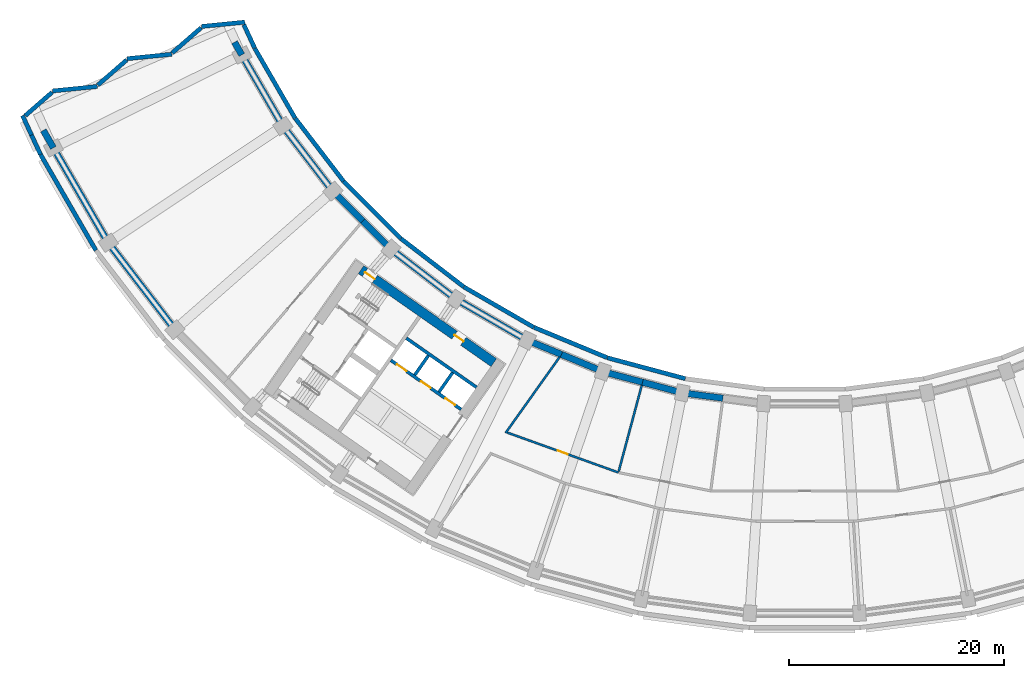
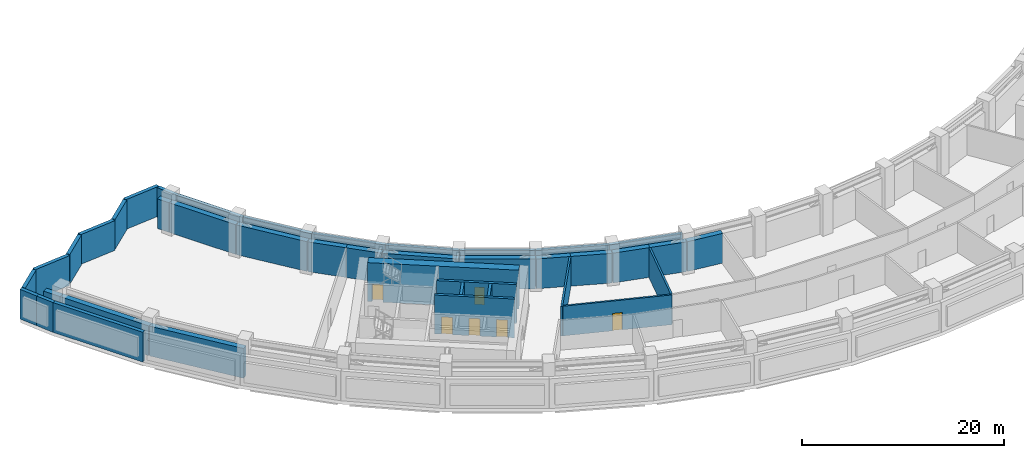
# One storey, part 7 of 25: 40 walls, 6 doors, 6 openings.
"""IFC4 building model written with IfcOpenShell, lengths in metres."""

from ifc_helpers import new_model, si_unit, direction, frame, frame_2d, origin, place, context, subcontext, project, spatial, rectangle, extrude, material, layer, layer_set, type_object, element, fill, save


model = new_model("IFC4")

# Units and contexts
model_context = context("Model", 3, precision=1e-05, world=origin(), true_north=direction((0.0, 1.0)))
body_context = subcontext(model_context, "Body", "Model", "MODEL_VIEW")
ifc_project = project(units=[si_unit("LENGTHUNIT", "METRE"), si_unit("AREAUNIT", "SQUARE_METRE"), si_unit("VOLUMEUNIT", "CUBIC_METRE"), si_unit("PLANEANGLEUNIT", "RADIAN"), si_unit("MASSUNIT", "GRAM", prefix="KILO")], contexts=[model_context])

# Site, building, storey
site_placement = place(None, origin())
site = spatial("IfcSite", under=ifc_project, at=site_placement, CompositionType="ELEMENT")
building_placement = place(site_placement, origin())
building = spatial("IfcBuilding", under=site, at=building_placement, Name="Qamariyya Broadcast Tower", CompositionType="ELEMENT")
storey_placement = place(building_placement, frame((0.0, 0.0, 144.300048828125)))
storey = spatial("IfcBuildingStorey", under=building, at=storey_placement, Name="L33", CompositionType="ELEMENT", Elevation=144.300048828125)

# Wall, openings, doors
ifc_material_1 = material(Name="Concrete C70/85", Category="concrete")
ifc_layer_1 = layer(ifc_material_1, 0.89990234375)
ifc_layer_set_1 = layer_set([ifc_layer_1], Name="Core wall 900 mm Concrete C70/85")
wall_type_1 = type_object("IfcWallType", Name="Core wall 900 mm Concrete C70/85", PredefinedType="SHEAR", material=ifc_layer_set_1)
wall_1_placement = place(storey_placement, frame((-28.8544921875, -54.32421875, 0.0), z_axis=(0.0, 0.0, 1.0), x_axis=(-0.819145767589, 0.573585400304, 0.0)))
wall_1 = element("IfcWall", 1, at=wall_1_placement, inside=storey, type_object=wall_type_1, Name="k-W-L33-WI", PredefinedType="SHEAR", context=body_context, shape_type="SweptSolid", body=[
    extrude(rectangle(XDim=15.04541015625, YDim=0.89990234375, at=frame_2d((7.522705078125, 0.0))), origin(), (0.0, 0.0, 1.0), 4.699951171875),
])
opening_1_placement = place(wall_1_placement, frame((3.449951171875, 0.0, 0.0)))
opening_1 = element("IfcOpeningElement", 2, at=opening_1_placement, cuts=wall_1, Name="Opening KD4-W1", PredefinedType="OPENING", context=body_context, shape_type="SweptSolid", body=[
    extrude(rectangle(XDim=1.0, YDim=2.10009765625, at=frame_2d((0.5, 1.050048828125))), frame((0.0, 0.4599609375, 0.0), z_axis=(0.0, -1.0, 0.0), x_axis=(1.0, 0.0, 0.0)), (0.0, 0.0, 1.0), 0.919921875),
])
opening_2_placement = place(wall_1_placement, frame((13.495361328125, 0.0, 0.0)))
opening_2 = element("IfcOpeningElement", 3, at=opening_2_placement, cuts=wall_1, Name="Opening KD1-W1", PredefinedType="OPENING", context=body_context, shape_type="SweptSolid", body=[
    extrude(rectangle(XDim=1.10009765625, YDim=2.10009765625, at=frame_2d((0.550048828125, 1.050048828125))), frame((0.0, 0.4599609375, 0.0), z_axis=(0.0, -1.0, 0.0), x_axis=(1.0, 0.0, 0.0)), (0.0, 0.0, 1.0), 0.919921875),
])
ifc_material_2 = material(Name="Steel fire-resisting door leaf", Category="steel")
door_type_1 = type_object("IfcDoorType", Name="Riser and plant door KD4", OperationType="SINGLE_SWING_LEFT", PredefinedType="DOOR", material=ifc_material_2)
door_1_placement = place(opening_1_placement, origin())
door_1 = element("IfcDoor", 4, at=door_1_placement, inside=storey, type_object=door_type_1, Name="k-W-L33-WI-D5", OperationType="SINGLE_SWING_RIGHT", OverallHeight=2.10009765625, OverallWidth=1.0, PredefinedType="DOOR", context=body_context, shape_type="SweptSolid", body=[
    extrude(rectangle(XDim=1.0, YDim=2.10009765625, at=frame_2d((0.5, 1.050048828125))), frame((0.0, 0.02490234375, 0.0), z_axis=(0.0, -1.0, 0.0), x_axis=(1.0, 0.0, 0.0)), (0.0, 0.0, 1.0), 0.050048828125),
])
fill(opening_1, door_1)
door_type_2 = type_object("IfcDoorType", Name="Stair door KD1", OperationType="SINGLE_SWING_LEFT", PredefinedType="DOOR", material=ifc_material_2)
door_2_placement = place(opening_2_placement, origin())
door_2 = element("IfcDoor", 5, at=door_2_placement, inside=storey, type_object=door_type_2, Name="k-W-L33-WI-D10", OperationType="SINGLE_SWING_RIGHT", OverallHeight=2.10009765625, OverallWidth=1.10009765625, PredefinedType="DOOR", context=body_context, shape_type="SweptSolid", body=[
    extrude(rectangle(XDim=1.10009765625, YDim=2.10009765625, at=frame_2d((0.550048828125, 1.050048828125))), frame((0.0, 0.02490234375, 0.0), z_axis=(0.0, -1.0, 0.0), x_axis=(1.0, 0.0, 0.0)), (0.0, 0.0, 1.0), 0.050048828125),
])
fill(opening_2, door_2)

ifc_material_3 = material(Name="Concrete C60/75", Category="concrete")
ifc_layer_2 = layer(ifc_material_3, 0.300048828125)
ifc_layer_set_2 = layer_set([ifc_layer_2], Name="Lift shaft wall 300 mm Concrete C60/75")
wall_type_2 = type_object("IfcWallType", Name="Lift shaft wall 300 mm Concrete C60/75", PredefinedType="SOLIDWALL", material=ifc_layer_set_2)
wall_2_placement = place(storey_placement, frame((-31.89453125, -58.66552734375, 0.0), z_axis=(0.0, 0.0, 1.0), x_axis=(-0.819166993208, 0.573555086491, 0.0)))
wall_2 = element("IfcWall", 6, at=wall_2_placement, inside=storey, type_object=wall_type_2, Name="k-W-L33-NF0", PredefinedType="SOLIDWALL", context=body_context, shape_type="SweptSolid", body=[
    extrude(rectangle(XDim=7.9501953125, YDim=0.300048828125, at=frame_2d((3.97509765625, 0.0))), origin(), (0.0, 0.0, 1.0), 4.699951171875),
])
opening_3_placement = place(wall_2_placement, frame((0.675048828125, 0.0, 0.0)))
opening_3 = element("IfcOpeningElement", 7, at=opening_3_placement, cuts=wall_2, Name="Opening LD", PredefinedType="OPENING", context=body_context, shape_type="SweptSolid", body=[
    extrude(rectangle(XDim=1.10009765625, YDim=2.10009765625, at=frame_2d((0.550048828125, 1.050048828125))), frame((0.0, 0.159912109375, 0.0), z_axis=(0.0, -1.0, 0.0), x_axis=(1.0, 0.0, 0.0)), (0.0, 0.0, 1.0), 0.320068359375),
])
opening_4_placement = place(wall_2_placement, frame((3.425048828125, 0.0, 0.0)))
opening_4 = element("IfcOpeningElement", 8, at=opening_4_placement, cuts=wall_2, Name="Opening LD", PredefinedType="OPENING", context=body_context, shape_type="SweptSolid", body=[
    extrude(rectangle(XDim=1.10009765625, YDim=2.10009765625, at=frame_2d((0.550048828125, 1.050048828125))), frame((0.0, 0.159912109375, 0.0), z_axis=(0.0, -1.0, 0.0), x_axis=(1.0, 0.0, 0.0)), (0.0, 0.0, 1.0), 0.320068359375),
])
opening_5_placement = place(wall_2_placement, frame((6.175048828125, 0.0, 0.0)))
opening_5 = element("IfcOpeningElement", 9, at=opening_5_placement, cuts=wall_2, Name="Opening LD", PredefinedType="OPENING", context=body_context, shape_type="SweptSolid", body=[
    extrude(rectangle(XDim=1.10009765625, YDim=2.10009765625, at=frame_2d((0.550048828125, 1.050048828125))), frame((0.0, 0.159912109375, 0.0), z_axis=(0.0, -1.0, 0.0), x_axis=(1.0, 0.0, 0.0)), (0.0, 0.0, 1.0), 0.320068359375),
])
door_type_3 = type_object("IfcDoorType", Name="Lift landing door LD", OperationType="DOUBLE_DOOR_SLIDING", PredefinedType="DOOR", material=ifc_material_2)
door_3_placement = place(opening_3_placement, origin())
door_3 = element("IfcDoor", 10, at=door_3_placement, inside=storey, type_object=door_type_3, Name="k-W-L33-NF0-D2", OperationType="DOUBLE_DOOR_SLIDING", OverallHeight=2.10009765625, OverallWidth=1.10009765625, PredefinedType="DOOR", context=body_context, shape_type="SweptSolid", body=[
    extrude(rectangle(XDim=1.10009765625, YDim=2.10009765625, at=frame_2d((0.550048828125, 1.050048828125))), frame((0.0, 0.02490234375, 0.0), z_axis=(0.0, -1.0, 0.0), x_axis=(1.0, 0.0, 0.0)), (0.0, 0.0, 1.0), 0.050048828125),
])
fill(opening_3, door_3)
door_4_placement = place(opening_4_placement, origin())
door_4 = element("IfcDoor", 11, at=door_4_placement, inside=storey, type_object=door_type_3, Name="k-W-L33-NF0-D3", OperationType="DOUBLE_DOOR_SLIDING", OverallHeight=2.10009765625, OverallWidth=1.10009765625, PredefinedType="DOOR", context=body_context, shape_type="SweptSolid", body=[
    extrude(rectangle(XDim=1.10009765625, YDim=2.10009765625, at=frame_2d((0.550048828125, 1.050048828125))), frame((0.0, 0.02490234375, 0.0), z_axis=(0.0, -1.0, 0.0), x_axis=(1.0, 0.0, 0.0)), (0.0, 0.0, 1.0), 0.050048828125),
])
fill(opening_4, door_4)
door_5_placement = place(opening_5_placement, origin())
door_5 = element("IfcDoor", 12, at=door_5_placement, inside=storey, type_object=door_type_3, Name="k-W-L33-NF0-D4", OperationType="DOUBLE_DOOR_SLIDING", OverallHeight=2.10009765625, OverallWidth=1.10009765625, PredefinedType="DOOR", context=body_context, shape_type="SweptSolid", body=[
    extrude(rectangle(XDim=1.10009765625, YDim=2.10009765625, at=frame_2d((0.550048828125, 1.050048828125))), frame((0.0, 0.02490234375, 0.0), z_axis=(0.0, -1.0, 0.0), x_axis=(1.0, 0.0, 0.0)), (0.0, 0.0, 1.0), 0.050048828125),
])
fill(opening_5, door_5)

# Walls
wall_3_placement = place(storey_placement, frame((-30.460693359375, -56.61767578125, 0.0), z_axis=(0.0, 0.0, 1.0), x_axis=(-0.819142461705, 0.573590121456, 0.0)))
element("IfcWall", 13, at=wall_3_placement, inside=storey, type_object=wall_type_2, Name="k-W-L33-NB0", PredefinedType="SOLIDWALL", context=body_context, shape_type="SweptSolid", body=[
    extrude(rectangle(XDim=7.949951171875, YDim=0.300048828125, at=frame_2d((3.97509765625, 0.0))), origin(), (0.0, 0.0, 1.0), 4.699951171875),
])
wall_4_placement = place(storey_placement, frame((-33.9384765625, -57.051513671875, 0.0), z_axis=(0.0, 0.0, 1.0), x_axis=(0.573581496053, 0.819148501424, 0.0)))
element("IfcWall", 14, at=wall_4_placement, inside=storey, type_object=wall_type_2, Name="k-W-L33-ND0", PredefinedType="SOLIDWALL", context=body_context, shape_type="SweptSolid", body=[
    extrude(rectangle(XDim=2.2001953125, YDim=0.300048828125, at=frame_2d((1.10009765625, 0.0))), origin(), (0.0, 0.0, 1.0), 4.699951171875),
])
wall_5_placement = place(storey_placement, frame((-36.19091796875, -55.47412109375, 0.0), z_axis=(0.0, 0.0, 1.0), x_axis=(0.573507030513, 0.819200638399, 0.0)))
element("IfcWall", 15, at=wall_5_placement, inside=storey, type_object=wall_type_2, Name="k-W-L33-ND1", PredefinedType="SOLIDWALL", context=body_context, shape_type="SweptSolid", body=[
    extrude(rectangle(XDim=2.199951171875, YDim=0.300048828125, at=frame_2d((1.10009765625, 0.0))), origin(), (0.0, 0.0, 1.0), 4.699951171875),
])

# Wall, opening, door
ifc_material_4 = material(Name="Masonry block wall", Category="masonry")
ifc_layer_3 = layer(ifc_material_4, 0.199951171875)
ifc_layer_set_3 = layer_set([ifc_layer_3], Name="Plant room wall 200 EI 120")
wall_type_3 = type_object("IfcWallType", Name="Plant room wall 200 EI 120", PredefinedType="PARTITIONING", material=ifc_layer_set_3)
wall_6_placement = place(storey_placement, frame((-27.616455078125, -60.81494140625, 0.0), z_axis=(0.0, 0.0, 1.0), x_axis=(0.941144953961, -0.338003218377, 0.0)))
wall_6 = element("IfcWall", 16, at=wall_6_placement, inside=storey, type_object=wall_type_3, Name="Partition L33-019", PredefinedType="PARTITIONING", context=body_context, shape_type="SweptSolid", body=[
    extrude(rectangle(XDim=10.97314453125, YDim=0.199951171875, at=frame_2d((5.486572265625, 0.0))), origin(), (0.0, 0.0, 1.0), 3.599853515625),
])
opening_6_placement = place(wall_6_placement, frame((4.986572265625, 0.0, 0.0)))
opening_6 = element("IfcOpeningElement", 17, at=opening_6_placement, cuts=wall_6, Name="Opening L33-D07", PredefinedType="OPENING", context=body_context, shape_type="SweptSolid", body=[
    extrude(rectangle(XDim=1.0, YDim=2.10009765625, at=frame_2d((0.5, 1.050048828125))), frame((0.0, 0.10986328125, 0.0), z_axis=(0.0, -1.0, 0.0), x_axis=(1.0, 0.0, 0.0)), (0.0, 0.0, 1.0), 0.219970703125),
])
ifc_material_5 = material(Name="Insulated metal door leaf")
door_type_4 = type_object("IfcDoorType", Name="Plant door 1000 x 2100 FD120", OperationType="NOTDEFINED", PredefinedType="DOOR", material=ifc_material_5)
door_6_placement = place(opening_6_placement, origin())
door_6 = element("IfcDoor", 18, at=door_6_placement, inside=storey, type_object=door_type_4, Name="Door L33-D07", OperationType="SINGLE_SWING_RIGHT", OverallHeight=2.10009765625, OverallWidth=1.0, PredefinedType="DOOR", context=body_context, shape_type="SweptSolid", body=[
    extrude(rectangle(XDim=1.0, YDim=2.10009765625, at=frame_2d((0.5, 1.050048828125))), frame((0.0, 0.02490234375, 0.0), z_axis=(0.0, -1.0, 0.0), x_axis=(1.0, 0.0, 0.0)), (0.0, 0.0, 1.0), 0.050048828125),
])
fill(opening_6, door_6)

# Walls
wall_7_placement = place(storey_placement, frame((-22.746337890625, -53.80908203125, 0.0), z_axis=(0.0, 0.0, 1.0), x_axis=(-0.580002652606, -0.814614585537, 0.0)))
element("IfcWall", 19, at=wall_7_placement, inside=storey, type_object=wall_type_3, Name="Partition L33-023", PredefinedType="PARTITIONING", context=body_context, shape_type="SweptSolid", body=[
    extrude(rectangle(XDim=8.658935546875, YDim=0.199951171875, at=frame_2d((4.32958984375, 0.0))), origin(), (0.0, 0.0, 1.0), 3.599853515625),
])
wall_8_placement = place(storey_placement, frame((-15.12158203125, -56.4345703125, 0.0), z_axis=(0.0, 0.0, 1.0), x_axis=(-0.258815723485, -0.965926716308, 0.0)))
element("IfcWall", 20, at=wall_8_placement, inside=storey, type_object=wall_type_3, Name="Partition L33-030", PredefinedType="PARTITIONING", context=body_context, shape_type="SweptSolid", body=[
    extrude(rectangle(XDim=8.274658203125, YDim=0.199951171875, at=frame_2d((4.13720703125, 0.0))), origin(), (0.0, 0.0, 1.0), 3.599853515625),
])
ifc_material_6 = material(Name="Terracotta", Category="masonry")
ifc_layer_4 = layer(ifc_material_6, 0.39990234375)
ifc_layer_set_4 = layer_set([ifc_layer_4], Name="Terracotta clad plant wall 400")
wall_type_4 = type_object("IfcWallType", Name="Terracotta clad plant wall 400", PredefinedType="SOLIDWALL", material=ifc_layer_set_4)
wall_9_placement = place(storey_placement, frame((-51.966552734375, -22.718994140625, 0.0), z_axis=(0.0, 0.0, 1.0), x_axis=(-0.995084930994, -0.099025148871, 0.0)))
element("IfcWall", 21, at=wall_9_placement, inside=storey, type_object=wall_type_4, Name="e-wl-L33-capW0", PredefinedType="SOLIDWALL", context=body_context, shape_type="SweptSolid", body=[
    extrude(rectangle(XDim=4.040771484375, YDim=0.39990234375, at=frame_2d((2.0205078125, 0.0))), origin(), (0.0, 0.0, 1.0), 3.599853515625),
])
wall_10_placement = place(storey_placement, frame((-56.031005859375, -23.2451171875, 0.0), z_axis=(0.0, 0.0, 1.0), x_axis=(-0.754424668418, -0.656386638866, 0.0)))
element("IfcWall", 22, at=wall_10_placement, inside=storey, type_object=wall_type_4, Name="e-wl-L33-capW1", PredefinedType="SOLIDWALL", context=body_context, shape_type="SweptSolid", body=[
    extrude(rectangle(XDim=3.546142578125, YDim=0.39990234375, at=frame_2d((1.77294921875, 0.0))), origin(), (0.0, 0.0, 1.0), 3.599853515625),
])
wall_11_placement = place(storey_placement, frame((-58.749755859375, -25.698486328125, 0.0), z_axis=(0.0, 0.0, 1.0), x_axis=(-0.995070731017, -0.099167738069, 0.0)))
element("IfcWall", 23, at=wall_11_placement, inside=storey, type_object=wall_type_4, Name="e-wl-L33-capW2", PredefinedType="SOLIDWALL", context=body_context, shape_type="SweptSolid", body=[
    extrude(rectangle(XDim=4.1728515625, YDim=0.39990234375, at=frame_2d((2.08642578125, 0.0))), origin(), (0.0, 0.0, 1.0), 3.599853515625),
])
wall_12_placement = place(storey_placement, frame((-62.945556640625, -26.23828125, 0.0), z_axis=(0.0, 0.0, 1.0), x_axis=(-0.754344508709, -0.656478759885, 0.0)))
element("IfcWall", 24, at=wall_12_placement, inside=storey, type_object=wall_type_4, Name="e-wl-L33-capW3", PredefinedType="SOLIDWALL", context=body_context, shape_type="SweptSolid", body=[
    extrude(rectangle(XDim=3.544921875, YDim=0.39990234375, at=frame_2d((1.7724609375, 0.0))), origin(), (0.0, 0.0, 1.0), 3.599853515625),
])
wall_13_placement = place(storey_placement, frame((-65.6630859375, -28.691162109375, 0.0), z_axis=(0.0, 0.0, 1.0), x_axis=(-0.995062060027, -0.099254706158, 0.0)))
element("IfcWall", 25, at=wall_13_placement, inside=storey, type_object=wall_type_4, Name="e-wl-L33-capW4", PredefinedType="SOLIDWALL", context=body_context, shape_type="SweptSolid", body=[
    extrude(rectangle(XDim=4.174072265625, YDim=0.39990234375, at=frame_2d((2.0869140625, 0.0))), origin(), (0.0, 0.0, 1.0), 3.599853515625),
])
wall_14_placement = place(storey_placement, frame((-69.85986328125, -29.2314453125, 0.0), z_axis=(0.0, 0.0, 1.0), x_axis=(-0.754323068459, -0.656503395567, 0.0)))
element("IfcWall", 26, at=wall_14_placement, inside=storey, type_object=wall_type_4, Name="e-wl-L33-capW5", PredefinedType="SOLIDWALL", context=body_context, shape_type="SweptSolid", body=[
    extrude(rectangle(XDim=3.29443359375, YDim=0.39990234375, at=frame_2d((1.647216796875, 0.0))), origin(), (0.0, 0.0, 1.0), 3.599853515625),
])
wall_15_placement = place(storey_placement, frame((-51.04638671875, -25.1357421875, 0.0), z_axis=(0.0, 0.0, 1.0), x_axis=(-0.419847948218, 0.907594458102, 0.0)))
element("IfcWall", 27, at=wall_15_placement, inside=storey, type_object=wall_type_4, Name="e-wl-L33-in00", PredefinedType="SOLIDWALL", context=body_context, shape_type="SweptSolid", body=[
    extrude(rectangle(XDim=2.39111328125, YDim=0.39990234375, at=frame_2d((1.195556640625, 0.0))), origin(), (0.0, 0.0, 1.0), 3.599853515625),
])
wall_16_placement = place(storey_placement, frame((-47.298583984375, -31.6337890625, 0.0), z_axis=(0.0, 0.0, 1.0), x_axis=(-0.50000201615, 0.866024239756, 0.0)))
element("IfcWall", 28, at=wall_16_placement, inside=storey, type_object=wall_type_4, Name="e-wl-L33-in10", PredefinedType="SOLIDWALL", context=body_context, shape_type="SweptSolid", body=[
    extrude(rectangle(XDim=7.48388671875, YDim=0.39990234375, at=frame_2d((3.741943359375, 0.0))), origin(), (0.0, 0.0, 1.0), 3.599853515625),
])
wall_17_placement = place(storey_placement, frame((-42.810791015625, -37.476806640625, 0.0), z_axis=(0.0, 0.0, 1.0), x_axis=(-0.608758918314, 0.793355266809, 0.0)))
element("IfcWall", 29, at=wall_17_placement, inside=storey, type_object=wall_type_4, Name="e-wl-L33-in20", PredefinedType="SOLIDWALL", context=body_context, shape_type="SweptSolid", body=[
    extrude(rectangle(XDim=7.341552734375, YDim=0.39990234375, at=frame_2d((3.6708984375, 0.0))), origin(), (0.0, 0.0, 1.0), 3.599853515625),
])
wall_18_placement = place(storey_placement, frame((-37.499267578125, -42.797607421875, 0.0), z_axis=(0.0, 0.0, 1.0), x_axis=(-0.707106781187, 0.707106781187, 0.0)))
element("IfcWall", 30, at=wall_18_placement, inside=storey, type_object=wall_type_4, Name="e-wl-L33-in30", PredefinedType="SOLIDWALL", context=body_context, shape_type="SweptSolid", body=[
    extrude(rectangle(XDim=7.492919921875, YDim=0.39990234375, at=frame_2d((3.74658203125, 0.0))), origin(), (0.0, 0.0, 1.0), 3.599853515625),
])
wall_19_placement = place(storey_placement, frame((-31.65234375, -47.280029296875, 0.0), z_axis=(0.0, 0.0, 1.0), x_axis=(-0.793355266809, 0.608758918314, 0.0)))
element("IfcWall", 31, at=wall_19_placement, inside=storey, type_object=wall_type_4, Name="e-wl-L33-in40", PredefinedType="SOLIDWALL", context=body_context, shape_type="SweptSolid", body=[
    extrude(rectangle(XDim=7.341552734375, YDim=0.39990234375, at=frame_2d((3.6708984375, 0.0))), origin(), (0.0, 0.0, 1.0), 3.599853515625),
])
wall_20_placement = place(storey_placement, frame((-25.144775390625, -51.044921875, 0.0), z_axis=(0.0, 0.0, 1.0), x_axis=(-0.866030945804, 0.499990400819, 0.0)))
element("IfcWall", 32, at=wall_20_placement, inside=storey, type_object=wall_type_4, Name="e-wl-L33-in50", PredefinedType="SOLIDWALL", context=body_context, shape_type="SweptSolid", body=[
    extrude(rectangle(XDim=7.492919921875, YDim=0.39990234375, at=frame_2d((3.74658203125, 0.0))), origin(), (0.0, 0.0, 1.0), 3.599853515625),
])
wall_21_placement = place(storey_placement, frame((-18.3369140625, -53.861328125, 0.0), z_axis=(0.0, 0.0, 1.0), x_axis=(-0.923875784142, 0.382692481603, 0.0)))
element("IfcWall", 33, at=wall_21_placement, inside=storey, type_object=wall_type_4, Name="e-wl-L33-in60", PredefinedType="SOLIDWALL", context=body_context, shape_type="SweptSolid", body=[
    extrude(rectangle(XDim=7.341552734375, YDim=0.39990234375, at=frame_2d((3.6708984375, 0.0))), origin(), (0.0, 0.0, 1.0), 3.599853515625),
])
wall_22_placement = place(storey_placement, frame((-11.07666015625, -55.8134765625, 0.0), z_axis=(0.0, 0.0, 1.0), x_axis=(-0.965928708291, 0.258808289086, 0.0)))
element("IfcWall", 34, at=wall_22_placement, inside=storey, type_object=wall_type_4, Name="e-wl-L33-in70", PredefinedType="SOLIDWALL", context=body_context, shape_type="SweptSolid", body=[
    extrude(rectangle(XDim=7.492919921875, YDim=0.39990234375, at=frame_2d((3.74658203125, 0.0))), origin(), (0.0, 0.0, 1.0), 3.599853515625),
])
wall_23_placement = place(storey_placement, frame((-72.609375, -31.382568359375, 0.0), z_axis=(0.0, 0.0, 1.0), x_axis=(0.419906518222, -0.907567361662, 0.0)))
element("IfcWall", 35, at=wall_23_placement, inside=storey, type_object=wall_type_4, Name="e-wl-L33-out00", PredefinedType="SOLIDWALL", context=body_context, shape_type="SweptSolid", body=[
    extrude(rectangle(XDim=2.007080078125, YDim=0.39990234375, at=frame_2d((1.00341796875, 0.0))), origin(), (0.0, 0.0, 1.0), 3.599853515625),
])
wall_24_placement = place(storey_placement, frame((-71.7666015625, -33.2041015625, 0.0), z_axis=(0.0, 0.0, 1.0), x_axis=(0.419957948139, -0.907543564682, 0.0)))
element("IfcWall", 36, at=wall_24_placement, inside=storey, type_object=wall_type_4, Name="e-wl-L33-out01", PredefinedType="SOLIDWALL", context=body_context, shape_type="SweptSolid", body=[
    extrude(rectangle(XDim=1.978271484375, YDim=0.39990234375, at=frame_2d((0.9892578125, 0.0))), origin(), (0.0, 0.0, 1.0), 3.599853515625),
])
wall_25_placement = place(storey_placement, frame((-70.92529296875, -35.01416015625, 0.0), z_axis=(0.0, 0.0, 1.0), x_axis=(0.500005272581, -0.866022359637, 0.0)))
element("IfcWall", 37, at=wall_25_placement, inside=storey, type_object=wall_type_4, Name="e-wl-L33-out10", PredefinedType="SOLIDWALL", context=body_context, shape_type="SweptSolid", body=[
    extrude(rectangle(XDim=10.26220703125, YDim=0.39990234375, at=frame_2d((5.131103515625, 0.0))), origin(), (0.0, 0.0, 1.0), 3.599853515625),
])
ifc_layer_5 = layer(ifc_material_4, 0.60009765625)
ifc_layer_set_5 = layer_set([ifc_layer_5], Name="Truss casing wall 600 EI 120")
wall_type_5 = type_object("IfcWallType", Name="Truss casing wall 600 EI 120", PredefinedType="PARTITIONING", material=ifc_layer_set_5)
wall_26_placement = place(storey_placement, frame((-70.67041015625, -32.762451171875, 0.0), z_axis=(0.0, 0.0, 1.0), x_axis=(0.500034469219, -0.866005502057, 0.0)))
element("IfcWall", 38, at=wall_26_placement, inside=storey, type_object=wall_type_5, Name="Partition L33-001", PredefinedType="PARTITIONING", context=body_context, shape_type="SweptSolid", body=[
    extrude(rectangle(XDim=1.873779296875, YDim=0.60009765625, at=frame_2d((0.93701171875, 0.0))), origin(), (0.0, 0.0, 1.0), 3.599853515625),
])
wall_27_placement = place(storey_placement, frame((-69.73046875, -34.390625, 0.0), z_axis=(0.0, 0.0, 1.0), x_axis=(0.500000912651, -0.866024876865, 0.0)))
element("IfcWall", 39, at=wall_27_placement, inside=storey, type_object=wall_type_5, Name="Partition L33-002", PredefinedType="PARTITIONING", context=body_context, shape_type="SweptSolid", body=[
    extrude(rectangle(XDim=10.14453125, YDim=0.60009765625, at=frame_2d((5.072265625, 0.0))), origin(), (0.0, 0.0, 1.0), 3.599853515625),
])
wall_28_placement = place(storey_placement, frame((-64.633056640625, -43.213623046875, 0.0), z_axis=(0.0, 0.0, 1.0), x_axis=(0.608779258212, -0.793339659144, 0.0)))
element("IfcWall", 40, at=wall_28_placement, inside=storey, type_object=wall_type_5, Name="Partition L33-003", PredefinedType="PARTITIONING", context=body_context, shape_type="SweptSolid", body=[
    extrude(rectangle(XDim=10.125, YDim=0.60009765625, at=frame_2d((5.0625, 0.0))), origin(), (0.0, 0.0, 1.0), 3.599853515625),
])
wall_29_placement = place(storey_placement, frame((-52.926025390625, -24.579833984375, 0.0), z_axis=(0.0, 0.0, 1.0), x_axis=(0.499913615761, -0.866075272004, 0.0)))
element("IfcWall", 41, at=wall_29_placement, inside=storey, type_object=wall_type_5, Name="Partition L33-006", PredefinedType="PARTITIONING", context=body_context, shape_type="SweptSolid", body=[
    extrude(rectangle(XDim=1.363525390625, YDim=0.60009765625, at=frame_2d((0.681640625, 0.0))), origin(), (0.0, 0.0, 1.0), 3.599853515625),
])
wall_30_placement = place(storey_placement, frame((-52.241455078125, -25.765869140625, 0.0), z_axis=(0.0, 0.0, 1.0), x_axis=(0.500022081734, -0.866012654514, 0.0)))
element("IfcWall", 42, at=wall_30_placement, inside=storey, type_object=wall_type_5, Name="Partition L33-007", PredefinedType="PARTITIONING", context=body_context, shape_type="SweptSolid", body=[
    extrude(rectangle(XDim=7.593994140625, YDim=0.60009765625, at=frame_2d((3.796875, 0.0))), origin(), (0.0, 0.0, 1.0), 3.599853515625),
])
wall_31_placement = place(storey_placement, frame((-48.419189453125, -32.3798828125, 0.0), z_axis=(0.0, 0.0, 1.0), x_axis=(0.6087569828, -0.793356751967, 0.0)))
element("IfcWall", 43, at=wall_31_placement, inside=storey, type_object=wall_type_5, Name="Partition L33-009", PredefinedType="PARTITIONING", context=body_context, shape_type="SweptSolid", body=[
    extrude(rectangle(XDim=7.57421875, YDim=0.60009765625, at=frame_2d((3.787109375, 0.0))), origin(), (0.0, 0.0, 1.0), 3.599853515625),
])
wall_32_placement = place(storey_placement, frame((-43.778564453125, -38.4228515625, 0.0), z_axis=(0.0, 0.0, 1.0), x_axis=(0.707106781187, -0.707106781187, 0.0)))
element("IfcWall", 44, at=wall_32_placement, inside=storey, type_object=wall_type_5, Name="Partition L33-010", PredefinedType="PARTITIONING", context=body_context, shape_type="SweptSolid", body=[
    extrude(rectangle(XDim=3.90576171875, YDim=0.60009765625, at=frame_2d((1.952880859375, 0.0))), origin(), (0.0, 0.0, 1.0), 3.599853515625),
])
wall_33_placement = place(storey_placement, frame((-41.016845703125, -41.1845703125, 0.0), z_axis=(0.0, 0.0, 1.0), x_axis=(0.707106781187, -0.707106781187, 0.0)))
element("IfcWall", 45, at=wall_33_placement, inside=storey, type_object=wall_type_5, Name="Partition L33-013", PredefinedType="PARTITIONING", context=body_context, shape_type="SweptSolid", body=[
    extrude(rectangle(XDim=3.66845703125, YDim=0.60009765625, at=frame_2d((1.834228515625, 0.0))), origin(), (0.0, 0.0, 1.0), 3.599853515625),
])
for number, where, z_axis, x_axis, name in (
    (46, (-38.388916015625, -43.808349609375, 0.0), (0.0, 0.0, 1.0), (0.793356751967, -0.6087569828, 0.0), "Partition L33-014"),
    (47, (-32.34228515625, -48.4443359375, 0.0), (0.0, 0.0, 1.0), (0.866020793316, -0.500007985481, 0.0), "Partition L33-016"),
):
    element("IfcWall", number, at=place(storey_placement, frame(where, z_axis=z_axis, x_axis=x_axis)), inside=storey, type_object=wall_type_5, Name=name, PredefinedType="PARTITIONING", context=body_context, shape_type="SweptSolid", body=[
        extrude(rectangle(XDim=7.57421875, YDim=0.60009765625, at=frame_2d((3.787109375, 0.0))), origin(), (0.0, 0.0, 1.0), 3.599853515625),
    ])
wall_34_placement = place(storey_placement, frame((-25.742431640625, -52.25146484375, 0.0), z_axis=(0.0, 0.0, 1.0), x_axis=(0.923868542125, -0.382709964427, 0.0)))
element("IfcWall", 48, at=wall_34_placement, inside=storey, type_object=wall_type_5, Name="Partition L33-020", PredefinedType="PARTITIONING", context=body_context, shape_type="SweptSolid", body=[
    extrude(rectangle(XDim=3.431396484375, YDim=0.60009765625, at=frame_2d((1.7158203125, 0.0))), origin(), (0.0, 0.0, 1.0), 3.599853515625),
])
wall_35_placement = place(storey_placement, frame((-22.572265625, -53.564697265625, 0.0), z_axis=(0.0, 0.0, 1.0), x_axis=(0.923892575647, -0.382651941932, 0.0)))
element("IfcWall", 49, at=wall_35_placement, inside=storey, type_object=wall_type_5, Name="Partition L33-024", PredefinedType="PARTITIONING", context=body_context, shape_type="SweptSolid", body=[
    extrude(rectangle(XDim=4.142578125, YDim=0.60009765625, at=frame_2d((2.0712890625, 0.0))), origin(), (0.0, 0.0, 1.0), 3.599853515625),
])
wall_36_placement = place(storey_placement, frame((-18.701904296875, -55.16455078125, 0.0), z_axis=(0.0, 0.0, 1.0), x_axis=(0.965920713003, -0.258838127392, 0.0)))
element("IfcWall", 50, at=wall_36_placement, inside=storey, type_object=wall_type_5, Name="Partition L33-026", PredefinedType="PARTITIONING", context=body_context, shape_type="SweptSolid", body=[
    extrude(rectangle(XDim=3.787109375, YDim=0.60009765625, at=frame_2d((1.8935546875, 0.0))), origin(), (0.0, 0.0, 1.0), 3.599853515625),
])
wall_37_placement = place(storey_placement, frame((-15.0439453125, -56.144775390625, 0.0), z_axis=(0.0, 0.0, 1.0), x_axis=(0.965936829447, -0.258777977267, 0.0)))
element("IfcWall", 51, at=wall_37_placement, inside=storey, type_object=wall_type_5, Name="Partition L33-031", PredefinedType="PARTITIONING", context=body_context, shape_type="SweptSolid", body=[
    extrude(rectangle(XDim=3.786865234375, YDim=0.60009765625, at=frame_2d((1.8935546875, 0.0))), origin(), (0.0, 0.0, 1.0), 3.599853515625),
])
wall_38_placement = place(storey_placement, frame((-11.341552734375, -57.1337890625, 0.0), z_axis=(0.0, 0.0, 1.0), x_axis=(0.991450564869, -0.130482862559, 0.0)))
element("IfcWall", 52, at=wall_38_placement, inside=storey, type_object=wall_type_5, Name="Partition L33-033", PredefinedType="PARTITIONING", context=body_context, shape_type="SweptSolid", body=[
    extrude(rectangle(XDim=3.787109375, YDim=0.60009765625, at=frame_2d((1.8935546875, 0.0))), origin(), (0.0, 0.0, 1.0), 3.599853515625),
])

save(model, "model.ifc")
